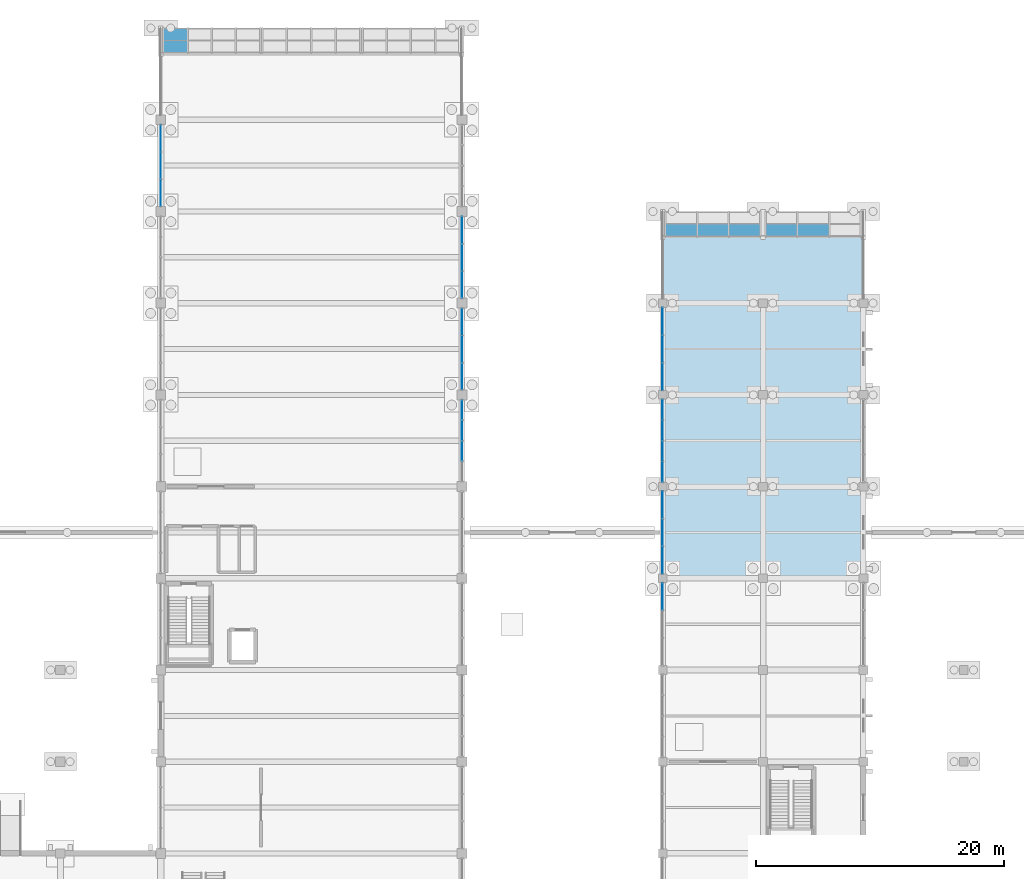
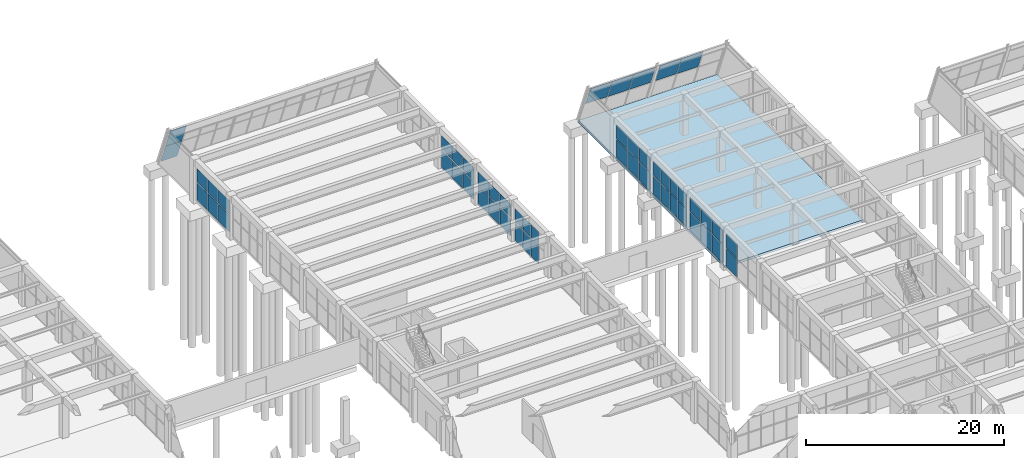
# One storey, part 117 of 140: 53 plates, 1 slab, 11 elements without a shape of their own.
"""IFC4 building model written with IfcOpenShell, lengths in metres."""

from ifc_helpers import new_model, si_unit, direction, frame, origin, origin_2d, place, context, subcontext, project, spatial, polyline, rectangle, outline, extrude, material, layer, layer_set, type_object, element, aggregate, save


model = new_model("IFC4")

# Units and contexts
model_context = context("Model", 3, precision=1e-05, world=origin(), true_north=direction((0.0, 1.0)))
body_context = subcontext(model_context, "Body", "Model", "MODEL_VIEW")
ifc_project = project(units=[si_unit("LENGTHUNIT", "METRE"), si_unit("AREAUNIT", "SQUARE_METRE"), si_unit("VOLUMEUNIT", "CUBIC_METRE"), si_unit("PLANEANGLEUNIT", "RADIAN"), si_unit("MASSUNIT", "GRAM", prefix="KILO")], contexts=[model_context])

# Site, building, storey
site_placement = place(None, origin())
site = spatial("IfcSite", under=ifc_project, at=site_placement, CompositionType="ELEMENT")
building_placement = place(site_placement, origin())
building = spatial("IfcBuilding", under=site, at=building_placement, Name="Cimatlan Art Gallery", CompositionType="ELEMENT")
storey_placement = place(building_placement, origin())
storey = spatial("IfcBuildingStorey", under=building, at=storey_placement, Name="L00", CompositionType="ELEMENT", Elevation=0.0)

# Curtain wall, plates
ifc_material_1 = material(Name="Anodised bronze unitised curtain wall")
curtain_wall_type_1 = type_object("IfcCurtainWallType", Name="CW-V-06592X04178-B4", PredefinedType="NOTDEFINED", material=ifc_material_1)
curtain_wall_1_placement = place(storey_placement, origin())
curtain_wall_1 = element("IfcCurtainWall", 1, at=curtain_wall_1_placement, inside=storey, type_object=curtain_wall_type_1, Name="CW-L00-11-10-E", PredefinedType="NOTDEFINED")
ifc_material_2 = material(Name="Low-E insulated double glazing", Category="glass")
ifc_layer_1 = layer(ifc_material_2, 0.028076171875)
ifc_layer_set_1 = layer_set([ifc_layer_1], Name="Low-E insulated double glazing")
plate_type_1 = type_object("IfcPlateType", Name="PNL-1590X1654", PredefinedType="CURTAIN_PANEL", material=ifc_layer_set_1)
plate_1_placement = place(storey_placement, frame((99.199951171875, 81.8720703125, 2.40185546875), z_axis=(0.0, 0.0, 1.0), x_axis=(0.0, -1.0, 0.0)))
plate_1 = element("IfcPlate", 2, at=plate_1_placement, type_object=plate_type_1, Name="CW-L00-11-10-E-P12", PredefinedType="CURTAIN_PANEL", context=body_context, shape_type="SweptSolid", body=[
    extrude(rectangle(XDim=1.590087890625, YDim=0.028076171875, at=origin_2d()), origin(), (0.0, 0.0, 1.0), 1.654052734375),
])
plate_2_placement = place(storey_placement, frame((99.199951171875, 80.22412109375, 2.40185546875), z_axis=(0.0, 0.0, 1.0), x_axis=(0.0, -1.0, 0.0)))
plate_2 = element("IfcPlate", 3, at=plate_2_placement, type_object=plate_type_1, Name="CW-L00-11-10-E-P22", PredefinedType="CURTAIN_PANEL", context=body_context, shape_type="SweptSolid", body=[
    extrude(rectangle(XDim=1.590087890625, YDim=0.028076171875, at=origin_2d()), origin(), (0.0, 0.0, 1.0), 1.654052734375),
])
plate_3_placement = place(storey_placement, frame((99.199951171875, 78.575927734375, 2.40185546875), z_axis=(0.0, 0.0, 1.0), x_axis=(0.0, -1.0, 0.0)))
plate_3 = element("IfcPlate", 4, at=plate_3_placement, type_object=plate_type_1, Name="CW-L00-11-10-E-P32", PredefinedType="CURTAIN_PANEL", context=body_context, shape_type="SweptSolid", body=[
    extrude(rectangle(XDim=1.590087890625, YDim=0.028076171875, at=origin_2d()), origin(), (0.0, 0.0, 1.0), 1.654052734375),
])
ifc_layer_2 = layer(ifc_material_2, 0.028076171875)
ifc_layer_set_2 = layer_set([ifc_layer_2], Name="Low-E insulated double glazing")
plate_type_2 = type_object("IfcPlateType", Name="PNL-1590X2156", PredefinedType="CURTAIN_PANEL", material=ifc_layer_set_2)
plate_4_placement = place(storey_placement, frame((99.199951171875, 81.8720703125, 0.1220703125), z_axis=(0.0, 0.0, 1.0), x_axis=(0.0, -1.0, 0.0)))
plate_4 = element("IfcPlate", 5, at=plate_4_placement, type_object=plate_type_2, Name="CW-L00-11-10-E-P11", PredefinedType="CURTAIN_PANEL", context=body_context, shape_type="SweptSolid", body=[
    extrude(rectangle(XDim=1.590087890625, YDim=0.028076171875, at=origin_2d()), origin(), (0.0, 0.0, 1.0), 2.156005859375),
])
plate_5_placement = place(storey_placement, frame((99.199951171875, 80.22412109375, 0.1220703125), z_axis=(0.0, 0.0, 1.0), x_axis=(0.0, -1.0, 0.0)))
plate_5 = element("IfcPlate", 6, at=plate_5_placement, type_object=plate_type_2, Name="CW-L00-11-10-E-P21", PredefinedType="CURTAIN_PANEL", context=body_context, shape_type="SweptSolid", body=[
    extrude(rectangle(XDim=1.590087890625, YDim=0.028076171875, at=origin_2d()), origin(), (0.0, 0.0, 1.0), 2.156005859375),
])
plate_6_placement = place(storey_placement, frame((99.199951171875, 78.575927734375, 0.1220703125), z_axis=(0.0, 0.0, 1.0), x_axis=(0.0, -1.0, 0.0)))
plate_6 = element("IfcPlate", 7, at=plate_6_placement, type_object=plate_type_2, Name="CW-L00-11-10-E-P31", PredefinedType="CURTAIN_PANEL", context=body_context, shape_type="SweptSolid", body=[
    extrude(rectangle(XDim=1.590087890625, YDim=0.028076171875, at=origin_2d()), origin(), (0.0, 0.0, 1.0), 2.156005859375),
])
aggregate(curtain_wall_1, [plate_4, plate_1, plate_5, plate_2, plate_6, plate_3])

curtain_wall_type_2 = type_object("IfcCurtainWallType", Name="CW-V-06692X04260-B4", PredefinedType="NOTDEFINED", material=ifc_material_1)
curtain_wall_2_placement = place(storey_placement, origin())
curtain_wall_2 = element("IfcCurtainWall", 8, at=curtain_wall_2_placement, inside=storey, type_object=curtain_wall_type_2, Name="CW-L00-14-10-W", PredefinedType="NOTDEFINED")
ifc_layer_3 = layer(ifc_material_2, 0.028076171875)
ifc_layer_set_3 = layer_set([ifc_layer_3], Name="Low-E insulated double glazing")
plate_type_3 = type_object("IfcPlateType", Name="PNL-1615X1690", PredefinedType="CURTAIN_PANEL", material=ifc_layer_set_3)
plate_7_placement = place(storey_placement, frame((115.39990234375, 76.890380859375, 2.44775390625), z_axis=(0.0, 0.0, 1.0), x_axis=(0.0, 1.0, 0.0)))
plate_7 = element("IfcPlate", 9, at=plate_7_placement, type_object=plate_type_3, Name="CW-L00-14-10-W-P12", PredefinedType="CURTAIN_PANEL", context=body_context, shape_type="SweptSolid", body=[
    extrude(rectangle(XDim=1.614990234375, YDim=0.028076171875, at=origin_2d()), origin(), (0.0, 0.0, 1.0), 1.68994140625),
])
plate_8_placement = place(storey_placement, frame((115.39990234375, 78.5634765625, 2.44775390625), z_axis=(0.0, 0.0, 1.0), x_axis=(0.0, 1.0, 0.0)))
plate_8 = element("IfcPlate", 10, at=plate_8_placement, type_object=plate_type_3, Name="CW-L00-14-10-W-P22", PredefinedType="CURTAIN_PANEL", context=body_context, shape_type="SweptSolid", body=[
    extrude(rectangle(XDim=1.614990234375, YDim=0.028076171875, at=origin_2d()), origin(), (0.0, 0.0, 1.0), 1.68994140625),
])
plate_9_placement = place(storey_placement, frame((115.39990234375, 80.236572265625, 2.44775390625), z_axis=(0.0, 0.0, 1.0), x_axis=(0.0, 1.0, 0.0)))
plate_9 = element("IfcPlate", 11, at=plate_9_placement, type_object=plate_type_3, Name="CW-L00-14-10-W-P32", PredefinedType="CURTAIN_PANEL", context=body_context, shape_type="SweptSolid", body=[
    extrude(rectangle(XDim=1.614990234375, YDim=0.028076171875, at=origin_2d()), origin(), (0.0, 0.0, 1.0), 1.68994140625),
])
plate_10_placement = place(storey_placement, frame((115.39990234375, 81.909423828125, 2.44775390625), z_axis=(0.0, 0.0, 1.0), x_axis=(0.0, 1.0, 0.0)))
plate_10 = element("IfcPlate", 12, at=plate_10_placement, type_object=plate_type_3, Name="CW-L00-14-10-W-P42", PredefinedType="CURTAIN_PANEL", context=body_context, shape_type="SweptSolid", body=[
    extrude(rectangle(XDim=1.614990234375, YDim=0.028076171875, at=origin_2d()), origin(), (0.0, 0.0, 1.0), 1.68994140625),
])
ifc_layer_4 = layer(ifc_material_2, 0.028076171875)
ifc_layer_set_4 = layer_set([ifc_layer_4], Name="Low-E insulated double glazing")
plate_type_4 = type_object("IfcPlateType", Name="PNL-1615X2202", PredefinedType="CURTAIN_PANEL", material=ifc_layer_set_4)
plate_11_placement = place(storey_placement, frame((115.39990234375, 76.890380859375, 0.1220703125), z_axis=(0.0, 0.0, 1.0), x_axis=(0.0, 1.0, 0.0)))
plate_11 = element("IfcPlate", 13, at=plate_11_placement, type_object=plate_type_4, Name="CW-L00-14-10-W-P11", PredefinedType="CURTAIN_PANEL", context=body_context, shape_type="SweptSolid", body=[
    extrude(rectangle(XDim=1.614990234375, YDim=0.028076171875, at=origin_2d()), origin(), (0.0, 0.0, 1.0), 2.201904296875),
])
plate_12_placement = place(storey_placement, frame((115.39990234375, 78.5634765625, 0.1220703125), z_axis=(0.0, 0.0, 1.0), x_axis=(0.0, 1.0, 0.0)))
plate_12 = element("IfcPlate", 14, at=plate_12_placement, type_object=plate_type_4, Name="CW-L00-14-10-W-P21", PredefinedType="CURTAIN_PANEL", context=body_context, shape_type="SweptSolid", body=[
    extrude(rectangle(XDim=1.614990234375, YDim=0.028076171875, at=origin_2d()), origin(), (0.0, 0.0, 1.0), 2.201904296875),
])
plate_13_placement = place(storey_placement, frame((115.39990234375, 80.236572265625, 0.1220703125), z_axis=(0.0, 0.0, 1.0), x_axis=(0.0, 1.0, 0.0)))
plate_13 = element("IfcPlate", 15, at=plate_13_placement, type_object=plate_type_4, Name="CW-L00-14-10-W-P31", PredefinedType="CURTAIN_PANEL", context=body_context, shape_type="SweptSolid", body=[
    extrude(rectangle(XDim=1.614990234375, YDim=0.028076171875, at=origin_2d()), origin(), (0.0, 0.0, 1.0), 2.201904296875),
])
plate_14_placement = place(storey_placement, frame((115.39990234375, 81.909423828125, 0.1220703125), z_axis=(0.0, 0.0, 1.0), x_axis=(0.0, 1.0, 0.0)))
plate_14 = element("IfcPlate", 16, at=plate_14_placement, type_object=plate_type_4, Name="CW-L00-14-10-W-P41", PredefinedType="CURTAIN_PANEL", context=body_context, shape_type="SweptSolid", body=[
    extrude(rectangle(XDim=1.614990234375, YDim=0.028076171875, at=origin_2d()), origin(), (0.0, 0.0, 1.0), 2.201904296875),
])
aggregate(curtain_wall_2, [plate_11, plate_7, plate_12, plate_8, plate_13, plate_9, plate_14, plate_10])

curtain_wall_type_3 = type_object("IfcCurtainWallType", Name="CW-V-06592X04133-B3", PredefinedType="NOTDEFINED", material=ifc_material_1)
curtain_wall_3_placement = place(storey_placement, origin())
curtain_wall_3 = element("IfcCurtainWall", 17, at=curtain_wall_3_placement, inside=storey, type_object=curtain_wall_type_3, Name="CW-L00-09-13-W", PredefinedType="NOTDEFINED")
ifc_layer_5 = layer(ifc_material_2, 0.028076171875)
ifc_layer_set_5 = layer_set([ifc_layer_5], Name="Low-E insulated double glazing")
plate_type_5 = type_object("IfcPlateType", Name="PNL-2139X1635", PredefinedType="CURTAIN_PANEL", material=ifc_layer_set_5)
plate_15_placement = place(storey_placement, frame((74.89990234375, 99.402587890625, 2.37646484375), z_axis=(0.0, 0.0, 1.0), x_axis=(0.0, 1.0, 0.0)))
plate_15 = element("IfcPlate", 18, at=plate_15_placement, type_object=plate_type_5, Name="CW-L00-09-13-W-P12", PredefinedType="CURTAIN_PANEL", context=body_context, shape_type="SweptSolid", body=[
    extrude(rectangle(XDim=2.138916015625, YDim=0.028076171875, at=origin_2d()), origin(), (0.0, 0.0, 1.0), 1.635009765625),
])
plate_16_placement = place(storey_placement, frame((74.89990234375, 101.60009765625, 2.37646484375), z_axis=(0.0, 0.0, 1.0), x_axis=(0.0, 1.0, 0.0)))
plate_16 = element("IfcPlate", 19, at=plate_16_placement, type_object=plate_type_5, Name="CW-L00-09-13-W-P22", PredefinedType="CURTAIN_PANEL", context=body_context, shape_type="SweptSolid", body=[
    extrude(rectangle(XDim=2.138916015625, YDim=0.028076171875, at=origin_2d()), origin(), (0.0, 0.0, 1.0), 1.635009765625),
])
plate_17_placement = place(storey_placement, frame((74.89990234375, 103.79736328125, 2.37646484375), z_axis=(0.0, 0.0, 1.0), x_axis=(0.0, 1.0, 0.0)))
plate_17 = element("IfcPlate", 20, at=plate_17_placement, type_object=plate_type_5, Name="CW-L00-09-13-W-P32", PredefinedType="CURTAIN_PANEL", context=body_context, shape_type="SweptSolid", body=[
    extrude(rectangle(XDim=2.138916015625, YDim=0.028076171875, at=origin_2d()), origin(), (0.0, 0.0, 1.0), 1.635009765625),
])

curtain_wall_type_4 = type_object("IfcCurtainWallType", Name="CW-V-06592X04148-B3", PredefinedType="NOTDEFINED", material=ifc_material_1)
curtain_wall_4_placement = place(storey_placement, origin())
curtain_wall_4 = element("IfcCurtainWall", 21, at=curtain_wall_4_placement, inside=storey, type_object=curtain_wall_type_4, Name="CW-L00-11-12-E", PredefinedType="NOTDEFINED")
ifc_layer_6 = layer(ifc_material_2, 0.028076171875)
ifc_layer_set_6 = layer_set([ifc_layer_6], Name="Low-E insulated double glazing")
plate_type_6 = type_object("IfcPlateType", Name="PNL-2139X1641", PredefinedType="CURTAIN_PANEL", material=ifc_layer_set_6)
plate_18_placement = place(storey_placement, frame((99.199951171875, 96.397216796875, 2.385009765625), z_axis=(0.0, 0.0, 1.0), x_axis=(0.0, -1.0, 0.0)))
plate_18 = element("IfcPlate", 22, at=plate_18_placement, type_object=plate_type_6, Name="CW-L00-11-12-E-P12", PredefinedType="CURTAIN_PANEL", context=body_context, shape_type="SweptSolid", body=[
    extrude(rectangle(XDim=2.138916015625, YDim=0.028076171875, at=origin_2d()), origin(), (0.0, 0.0, 1.0), 1.64111328125),
])
plate_19_placement = place(storey_placement, frame((99.199951171875, 94.199951171875, 2.385009765625), z_axis=(0.0, 0.0, 1.0), x_axis=(0.0, -1.0, 0.0)))
plate_19 = element("IfcPlate", 23, at=plate_19_placement, type_object=plate_type_6, Name="CW-L00-11-12-E-P22", PredefinedType="CURTAIN_PANEL", context=body_context, shape_type="SweptSolid", body=[
    extrude(rectangle(XDim=2.138916015625, YDim=0.028076171875, at=origin_2d()), origin(), (0.0, 0.0, 1.0), 1.64111328125),
])
plate_20_placement = place(storey_placement, frame((99.199951171875, 92.002685546875, 2.385009765625), z_axis=(0.0, 0.0, 1.0), x_axis=(0.0, -1.0, 0.0)))
plate_20 = element("IfcPlate", 24, at=plate_20_placement, type_object=plate_type_6, Name="CW-L00-11-12-E-P32", PredefinedType="CURTAIN_PANEL", context=body_context, shape_type="SweptSolid", body=[
    extrude(rectangle(XDim=2.138916015625, YDim=0.028076171875, at=origin_2d()), origin(), (0.0, 0.0, 1.0), 1.64111328125),
])

curtain_wall_type_5 = type_object("IfcCurtainWallType", Name="CW-V-06592X04163-B3", PredefinedType="NOTDEFINED", material=ifc_material_1)
curtain_wall_5_placement = place(storey_placement, origin())
curtain_wall_5 = element("IfcCurtainWall", 25, at=curtain_wall_5_placement, inside=storey, type_object=curtain_wall_type_5, Name="CW-L00-11-11-E", PredefinedType="NOTDEFINED")
ifc_layer_7 = layer(ifc_material_2, 0.028076171875)
ifc_layer_set_7 = layer_set([ifc_layer_7], Name="Low-E insulated double glazing")
plate_type_7 = type_object("IfcPlateType", Name="PNL-2139X1648", PredefinedType="CURTAIN_PANEL", material=ifc_layer_set_7)
plate_21_placement = place(storey_placement, frame((99.199951171875, 88.997314453125, 2.39306640625), z_axis=(0.0, 0.0, 1.0), x_axis=(0.0, -1.0, 0.0)))
plate_21 = element("IfcPlate", 26, at=plate_21_placement, type_object=plate_type_7, Name="CW-L00-11-11-E-P12", PredefinedType="CURTAIN_PANEL", context=body_context, shape_type="SweptSolid", body=[
    extrude(rectangle(XDim=2.138916015625, YDim=0.028076171875, at=origin_2d()), origin(), (0.0, 0.0, 1.0), 1.64794921875),
])
plate_22_placement = place(storey_placement, frame((99.199951171875, 86.800048828125, 2.39306640625), z_axis=(0.0, 0.0, 1.0), x_axis=(0.0, -1.0, 0.0)))
plate_22 = element("IfcPlate", 27, at=plate_22_placement, type_object=plate_type_7, Name="CW-L00-11-11-E-P22", PredefinedType="CURTAIN_PANEL", context=body_context, shape_type="SweptSolid", body=[
    extrude(rectangle(XDim=2.138916015625, YDim=0.028076171875, at=origin_2d()), origin(), (0.0, 0.0, 1.0), 1.64794921875),
])
plate_23_placement = place(storey_placement, frame((99.199951171875, 84.602783203125, 2.39306640625), z_axis=(0.0, 0.0, 1.0), x_axis=(0.0, -1.0, 0.0)))
plate_23 = element("IfcPlate", 28, at=plate_23_placement, type_object=plate_type_7, Name="CW-L00-11-11-E-P32", PredefinedType="CURTAIN_PANEL", context=body_context, shape_type="SweptSolid", body=[
    extrude(rectangle(XDim=2.138916015625, YDim=0.028076171875, at=origin_2d()), origin(), (0.0, 0.0, 1.0), 1.64794921875),
])

# Plate
ifc_layer_8 = layer(ifc_material_2, 0.028076171875)
ifc_layer_set_8 = layer_set([ifc_layer_8], Name="Low-E insulated double glazing")
plate_type_8 = type_object("IfcPlateType", Name="PNL-2139X2131", PredefinedType="CURTAIN_PANEL", material=ifc_layer_set_8)
plate_24_placement = place(storey_placement, frame((74.89990234375, 99.402587890625, 0.12158203125), z_axis=(0.0, 0.0, 1.0), x_axis=(0.0, 1.0, 0.0)))
plate_24 = element("IfcPlate", 29, at=plate_24_placement, type_object=plate_type_8, Name="CW-L00-09-13-W-P11", PredefinedType="CURTAIN_PANEL", context=body_context, shape_type="SweptSolid", body=[
    extrude(rectangle(XDim=2.138916015625, YDim=0.028076171875, at=origin_2d()), origin(), (0.0, 0.0, 1.0), 2.131103515625),
])

plate_25_placement = place(storey_placement, frame((74.89990234375, 101.60009765625, 0.12158203125), z_axis=(0.0, 0.0, 1.0), x_axis=(0.0, 1.0, 0.0)))
plate_25 = element("IfcPlate", 30, at=plate_25_placement, type_object=plate_type_8, Name="CW-L00-09-13-W-P21", PredefinedType="CURTAIN_PANEL", context=body_context, shape_type="SweptSolid", body=[
    extrude(rectangle(XDim=2.138916015625, YDim=0.028076171875, at=origin_2d()), origin(), (0.0, 0.0, 1.0), 2.131103515625),
])

plate_26_placement = place(storey_placement, frame((74.89990234375, 103.79736328125, 0.12158203125), z_axis=(0.0, 0.0, 1.0), x_axis=(0.0, 1.0, 0.0)))
plate_26 = element("IfcPlate", 31, at=plate_26_placement, type_object=plate_type_8, Name="CW-L00-09-13-W-P31", PredefinedType="CURTAIN_PANEL", context=body_context, shape_type="SweptSolid", body=[
    extrude(rectangle(XDim=2.138916015625, YDim=0.028076171875, at=origin_2d()), origin(), (0.0, 0.0, 1.0), 2.131103515625),
])

aggregate(curtain_wall_3, [plate_24, plate_15, plate_25, plate_16, plate_26, plate_17])

ifc_layer_9 = layer(ifc_material_2, 0.028076171875)
ifc_layer_set_9 = layer_set([ifc_layer_9], Name="Low-E insulated double glazing")
plate_type_9 = type_object("IfcPlateType", Name="PNL-2139X2139", PredefinedType="CURTAIN_PANEL", material=ifc_layer_set_9)
plate_27_placement = place(storey_placement, frame((99.199951171875, 96.397216796875, 0.1220703125), z_axis=(0.0, 0.0, 1.0), x_axis=(0.0, -1.0, 0.0)))
plate_27 = element("IfcPlate", 32, at=plate_27_placement, type_object=plate_type_9, Name="CW-L00-11-12-E-P11", PredefinedType="CURTAIN_PANEL", context=body_context, shape_type="SweptSolid", body=[
    extrude(rectangle(XDim=2.138916015625, YDim=0.028076171875, at=origin_2d()), origin(), (0.0, 0.0, 1.0), 2.138916015625),
])

plate_28_placement = place(storey_placement, frame((99.199951171875, 94.199951171875, 0.1220703125), z_axis=(0.0, 0.0, 1.0), x_axis=(0.0, -1.0, 0.0)))
plate_28 = element("IfcPlate", 33, at=plate_28_placement, type_object=plate_type_9, Name="CW-L00-11-12-E-P21", PredefinedType="CURTAIN_PANEL", context=body_context, shape_type="SweptSolid", body=[
    extrude(rectangle(XDim=2.138916015625, YDim=0.028076171875, at=origin_2d()), origin(), (0.0, 0.0, 1.0), 2.138916015625),
])

plate_29_placement = place(storey_placement, frame((99.199951171875, 92.002685546875, 0.1220703125), z_axis=(0.0, 0.0, 1.0), x_axis=(0.0, -1.0, 0.0)))
plate_29 = element("IfcPlate", 34, at=plate_29_placement, type_object=plate_type_9, Name="CW-L00-11-12-E-P31", PredefinedType="CURTAIN_PANEL", context=body_context, shape_type="SweptSolid", body=[
    extrude(rectangle(XDim=2.138916015625, YDim=0.028076171875, at=origin_2d()), origin(), (0.0, 0.0, 1.0), 2.138916015625),
])

aggregate(curtain_wall_4, [plate_27, plate_18, plate_28, plate_19, plate_29, plate_20])

ifc_layer_10 = layer(ifc_material_2, 0.028076171875)
ifc_layer_set_10 = layer_set([ifc_layer_10], Name="Low-E insulated double glazing")
plate_type_10 = type_object("IfcPlateType", Name="PNL-2139X2147", PredefinedType="CURTAIN_PANEL", material=ifc_layer_set_10)
plate_30_placement = place(storey_placement, frame((99.199951171875, 88.997314453125, 0.1220703125), z_axis=(0.0, 0.0, 1.0), x_axis=(0.0, -1.0, 0.0)))
plate_30 = element("IfcPlate", 35, at=plate_30_placement, type_object=plate_type_10, Name="CW-L00-11-11-E-P11", PredefinedType="CURTAIN_PANEL", context=body_context, shape_type="SweptSolid", body=[
    extrude(rectangle(XDim=2.138916015625, YDim=0.028076171875, at=origin_2d()), origin(), (0.0, 0.0, 1.0), 2.14697265625),
])

plate_31_placement = place(storey_placement, frame((99.199951171875, 86.800048828125, 0.1220703125), z_axis=(0.0, 0.0, 1.0), x_axis=(0.0, -1.0, 0.0)))
plate_31 = element("IfcPlate", 36, at=plate_31_placement, type_object=plate_type_10, Name="CW-L00-11-11-E-P21", PredefinedType="CURTAIN_PANEL", context=body_context, shape_type="SweptSolid", body=[
    extrude(rectangle(XDim=2.138916015625, YDim=0.028076171875, at=origin_2d()), origin(), (0.0, 0.0, 1.0), 2.14697265625),
])

plate_32_placement = place(storey_placement, frame((99.199951171875, 84.602783203125, 0.1220703125), z_axis=(0.0, 0.0, 1.0), x_axis=(0.0, -1.0, 0.0)))
plate_32 = element("IfcPlate", 37, at=plate_32_placement, type_object=plate_type_10, Name="CW-L00-11-11-E-P31", PredefinedType="CURTAIN_PANEL", context=body_context, shape_type="SweptSolid", body=[
    extrude(rectangle(XDim=2.138916015625, YDim=0.028076171875, at=origin_2d()), origin(), (0.0, 0.0, 1.0), 2.14697265625),
])

aggregate(curtain_wall_5, [plate_30, plate_21, plate_31, plate_22, plate_32, plate_23])

# Curtain wall, plates
curtain_wall_type_6 = type_object("IfcCurtainWallType", Name="CW-V-06692X04245-B3", PredefinedType="NOTDEFINED", material=ifc_material_1)
curtain_wall_6_placement = place(storey_placement, origin())
curtain_wall_6 = element("IfcCurtainWall", 38, at=curtain_wall_6_placement, inside=storey, type_object=curtain_wall_type_6, Name="CW-L00-14-11-W", PredefinedType="NOTDEFINED")
ifc_layer_11 = layer(ifc_material_2, 0.028076171875)
ifc_layer_set_11 = layer_set([ifc_layer_11], Name="Low-E insulated double glazing")
plate_type_11 = type_object("IfcPlateType", Name="PNL-2173X1684", PredefinedType="CURTAIN_PANEL", material=ifc_layer_set_11)
plate_33_placement = place(storey_placement, frame((115.39990234375, 84.5693359375, 2.43896484375), z_axis=(0.0, 0.0, 1.0), x_axis=(0.0, 1.0, 0.0)))
plate_33 = element("IfcPlate", 39, at=plate_33_placement, type_object=plate_type_11, Name="CW-L00-14-11-W-P12", PredefinedType="CURTAIN_PANEL", context=body_context, shape_type="SweptSolid", body=[
    extrude(rectangle(XDim=2.173095703125, YDim=0.028076171875, at=origin_2d()), origin(), (0.0, 0.0, 1.0), 1.68408203125),
])
plate_34_placement = place(storey_placement, frame((115.39990234375, 86.800048828125, 2.43896484375), z_axis=(0.0, 0.0, 1.0), x_axis=(0.0, 1.0, 0.0)))
plate_34 = element("IfcPlate", 40, at=plate_34_placement, type_object=plate_type_11, Name="CW-L00-14-11-W-P22", PredefinedType="CURTAIN_PANEL", context=body_context, shape_type="SweptSolid", body=[
    extrude(rectangle(XDim=2.173095703125, YDim=0.028076171875, at=origin_2d()), origin(), (0.0, 0.0, 1.0), 1.68408203125),
])
plate_35_placement = place(storey_placement, frame((115.39990234375, 89.03076171875, 2.43896484375), z_axis=(0.0, 0.0, 1.0), x_axis=(0.0, 1.0, 0.0)))
plate_35 = element("IfcPlate", 41, at=plate_35_placement, type_object=plate_type_11, Name="CW-L00-14-11-W-P32", PredefinedType="CURTAIN_PANEL", context=body_context, shape_type="SweptSolid", body=[
    extrude(rectangle(XDim=2.173095703125, YDim=0.028076171875, at=origin_2d()), origin(), (0.0, 0.0, 1.0), 1.68408203125),
])

curtain_wall_type_7 = type_object("IfcCurtainWallType", Name="CW-V-06692X04275-B3", PredefinedType="NOTDEFINED", material=ifc_material_1)
curtain_wall_7_placement = place(storey_placement, origin())
curtain_wall_7 = element("IfcCurtainWall", 42, at=curtain_wall_7_placement, inside=storey, type_object=curtain_wall_type_7, Name="CW-L00-14-09-W", PredefinedType="NOTDEFINED")
ifc_layer_12 = layer(ifc_material_2, 0.028076171875)
ifc_layer_set_12 = layer_set([ifc_layer_12], Name="Low-E insulated double glazing")
plate_type_12 = type_object("IfcPlateType", Name="PNL-2173X1697", PredefinedType="CURTAIN_PANEL", material=ifc_layer_set_12)
plate_36_placement = place(storey_placement, frame((115.39990234375, 69.769287109375, 2.4560546875), z_axis=(0.0, 0.0, 1.0), x_axis=(0.0, 1.0, 0.0)))
plate_36 = element("IfcPlate", 43, at=plate_36_placement, type_object=plate_type_12, Name="CW-L00-14-09-W-P12", PredefinedType="CURTAIN_PANEL", context=body_context, shape_type="SweptSolid", body=[
    extrude(rectangle(XDim=2.173095703125, YDim=0.028076171875, at=origin_2d()), origin(), (0.0, 0.0, 1.0), 1.697021484375),
])
plate_37_placement = place(storey_placement, frame((115.39990234375, 72.0, 2.4560546875), z_axis=(0.0, 0.0, 1.0), x_axis=(0.0, 1.0, 0.0)))
plate_37 = element("IfcPlate", 44, at=plate_37_placement, type_object=plate_type_12, Name="CW-L00-14-09-W-P22", PredefinedType="CURTAIN_PANEL", context=body_context, shape_type="SweptSolid", body=[
    extrude(rectangle(XDim=2.173095703125, YDim=0.028076171875, at=origin_2d()), origin(), (0.0, 0.0, 1.0), 1.697021484375),
])
plate_38_placement = place(storey_placement, frame((115.39990234375, 74.230712890625, 2.4560546875), z_axis=(0.0, 0.0, 1.0), x_axis=(0.0, 1.0, 0.0)))
plate_38 = element("IfcPlate", 45, at=plate_38_placement, type_object=plate_type_12, Name="CW-L00-14-09-W-P32", PredefinedType="CURTAIN_PANEL", context=body_context, shape_type="SweptSolid", body=[
    extrude(rectangle(XDim=2.173095703125, YDim=0.028076171875, at=origin_2d()), origin(), (0.0, 0.0, 1.0), 1.697021484375),
])

# Curtain wall, plate
curtain_wall_type_8 = type_object("IfcCurtainWallType", Name="CW-V-06692X04290-B3", PredefinedType="NOTDEFINED", material=ifc_material_1)
curtain_wall_8_placement = place(storey_placement, origin())
curtain_wall_8 = element("IfcCurtainWall", 46, at=curtain_wall_8_placement, inside=storey, type_object=curtain_wall_type_8, Name="CW-L00-14-08-W", PredefinedType="NOTDEFINED")
ifc_layer_13 = layer(ifc_material_2, 0.028076171875)
ifc_layer_set_13 = layer_set([ifc_layer_13], Name="Low-E insulated double glazing")
plate_type_13 = type_object("IfcPlateType", Name="PNL-2173X1704", PredefinedType="CURTAIN_PANEL", material=ifc_layer_set_13)
plate_39_placement = place(storey_placement, frame((115.39990234375, 66.83056640625, 2.464111328125), z_axis=(0.0, 0.0, 1.0), x_axis=(0.0, 1.0, 0.0)))
plate_39 = element("IfcPlate", 47, at=plate_39_placement, type_object=plate_type_13, Name="CW-L00-14-08-W-P32", PredefinedType="CURTAIN_PANEL", context=body_context, shape_type="SweptSolid", body=[
    extrude(rectangle(XDim=2.173095703125, YDim=0.028076171875, at=origin_2d()), origin(), (0.0, 0.0, 1.0), 1.7041015625),
])

# Plate
ifc_layer_14 = layer(ifc_material_2, 0.028076171875)
ifc_layer_set_14 = layer_set([ifc_layer_14], Name="Low-E insulated double glazing")
plate_type_14 = type_object("IfcPlateType", Name="PNL-2173X2193", PredefinedType="CURTAIN_PANEL", material=ifc_layer_set_14)
plate_40_placement = place(storey_placement, frame((115.39990234375, 84.5693359375, 0.1220703125), z_axis=(0.0, 0.0, 1.0), x_axis=(0.0, 1.0, 0.0)))
plate_40 = element("IfcPlate", 48, at=plate_40_placement, type_object=plate_type_14, Name="CW-L00-14-11-W-P11", PredefinedType="CURTAIN_PANEL", context=body_context, shape_type="SweptSolid", body=[
    extrude(rectangle(XDim=2.173095703125, YDim=0.028076171875, at=origin_2d()), origin(), (0.0, 0.0, 1.0), 2.193115234375),
])

plate_41_placement = place(storey_placement, frame((115.39990234375, 86.800048828125, 0.1220703125), z_axis=(0.0, 0.0, 1.0), x_axis=(0.0, 1.0, 0.0)))
plate_41 = element("IfcPlate", 49, at=plate_41_placement, type_object=plate_type_14, Name="CW-L00-14-11-W-P21", PredefinedType="CURTAIN_PANEL", context=body_context, shape_type="SweptSolid", body=[
    extrude(rectangle(XDim=2.173095703125, YDim=0.028076171875, at=origin_2d()), origin(), (0.0, 0.0, 1.0), 2.193115234375),
])

plate_42_placement = place(storey_placement, frame((115.39990234375, 89.03076171875, 0.1220703125), z_axis=(0.0, 0.0, 1.0), x_axis=(0.0, 1.0, 0.0)))
plate_42 = element("IfcPlate", 50, at=plate_42_placement, type_object=plate_type_14, Name="CW-L00-14-11-W-P31", PredefinedType="CURTAIN_PANEL", context=body_context, shape_type="SweptSolid", body=[
    extrude(rectangle(XDim=2.173095703125, YDim=0.028076171875, at=origin_2d()), origin(), (0.0, 0.0, 1.0), 2.193115234375),
])

aggregate(curtain_wall_6, [plate_40, plate_33, plate_41, plate_34, plate_42, plate_35])

ifc_layer_15 = layer(ifc_material_2, 0.028076171875)
ifc_layer_set_15 = layer_set([ifc_layer_15], Name="Low-E insulated double glazing")
plate_type_15 = type_object("IfcPlateType", Name="PNL-2173X2210", PredefinedType="CURTAIN_PANEL", material=ifc_layer_set_15)
plate_43_placement = place(storey_placement, frame((115.39990234375, 69.769287109375, 0.1220703125), z_axis=(0.0, 0.0, 1.0), x_axis=(0.0, 1.0, 0.0)))
plate_43 = element("IfcPlate", 51, at=plate_43_placement, type_object=plate_type_15, Name="CW-L00-14-09-W-P11", PredefinedType="CURTAIN_PANEL", context=body_context, shape_type="SweptSolid", body=[
    extrude(rectangle(XDim=2.173095703125, YDim=0.028076171875, at=origin_2d()), origin(), (0.0, 0.0, 1.0), 2.2099609375),
])

plate_44_placement = place(storey_placement, frame((115.39990234375, 72.0, 0.1220703125), z_axis=(0.0, 0.0, 1.0), x_axis=(0.0, 1.0, 0.0)))
plate_44 = element("IfcPlate", 52, at=plate_44_placement, type_object=plate_type_15, Name="CW-L00-14-09-W-P21", PredefinedType="CURTAIN_PANEL", context=body_context, shape_type="SweptSolid", body=[
    extrude(rectangle(XDim=2.173095703125, YDim=0.028076171875, at=origin_2d()), origin(), (0.0, 0.0, 1.0), 2.2099609375),
])

plate_45_placement = place(storey_placement, frame((115.39990234375, 74.230712890625, 0.1220703125), z_axis=(0.0, 0.0, 1.0), x_axis=(0.0, 1.0, 0.0)))
plate_45 = element("IfcPlate", 53, at=plate_45_placement, type_object=plate_type_15, Name="CW-L00-14-09-W-P31", PredefinedType="CURTAIN_PANEL", context=body_context, shape_type="SweptSolid", body=[
    extrude(rectangle(XDim=2.173095703125, YDim=0.028076171875, at=origin_2d()), origin(), (0.0, 0.0, 1.0), 2.2099609375),
])

aggregate(curtain_wall_7, [plate_43, plate_36, plate_44, plate_37, plate_45, plate_38])

ifc_layer_16 = layer(ifc_material_2, 0.028076171875)
ifc_layer_set_16 = layer_set([ifc_layer_16], Name="Low-E insulated double glazing")
plate_type_16 = type_object("IfcPlateType", Name="PNL-2173X2218", PredefinedType="CURTAIN_PANEL", material=ifc_layer_set_16)
plate_46_placement = place(storey_placement, frame((115.39990234375, 66.83056640625, 0.1220703125), z_axis=(0.0, 0.0, 1.0), x_axis=(0.0, 1.0, 0.0)))
plate_46 = element("IfcPlate", 54, at=plate_46_placement, type_object=plate_type_16, Name="CW-L00-14-08-W-P31", PredefinedType="CURTAIN_PANEL", context=body_context, shape_type="SweptSolid", body=[
    extrude(rectangle(XDim=2.173095703125, YDim=0.028076171875, at=origin_2d()), origin(), (0.0, 0.0, 1.0), 2.218017578125),
])

aggregate(curtain_wall_8, [plate_46, plate_39])

# Curtain wall, plates
ifc_material_3 = material(Name="Raked steel-and-bronze lancet curtain wall", Category="steel")
curtain_wall_type_9 = type_object("IfcCurtainWallType", Name="CW-RAK-07790X05503-B4", PredefinedType="NOTDEFINED", material=ifc_material_3)
curtain_wall_9_placement = place(storey_placement, origin())
curtain_wall_9 = element("IfcCurtainWall", 55, at=curtain_wall_9_placement, inside=storey, type_object=curtain_wall_type_9, Name="CW-PROW-L00-B3-9", PredefinedType="NOTDEFINED")
ifc_material_4 = material(Name="Low-E laminated skylight safety glazing", Category="glass")
ifc_layer_17 = layer(ifc_material_4, 0.031982421875)
ifc_layer_set_17 = layer_set([ifc_layer_17], Name="Low-E laminated skylight safety glazing")
plate_type_17 = type_object("IfcPlateType", Name="PNL-RAK-1907X2641", PredefinedType="CURTAIN_PANEL", material=ifc_layer_set_17)
plate_47_placement = place(storey_placement, frame((75.140380859375, 112.669677734375, 0.076904296875), z_axis=(0.0, 0.930420809623, 0.366492997234), x_axis=(1.0, 0.0, 0.0)))
plate_47 = element("IfcPlate", 56, at=plate_47_placement, type_object=plate_type_17, Name="CW-PROW-L00-B3-9-P11", PredefinedType="CURTAIN_PANEL", context=body_context, shape_type="SweptSolid", body=[
    extrude(outline(polyline([(0.0, 0.0), (1.906982421875, 0.0), (1.906982421875, -2.641298975510764), (0.0, -2.641298975510764), (0.0, 0.0)])), origin(), (0.0, 0.0, -1.0), 0.031982421875),
])
plate_48_placement = place(storey_placement, frame((75.140380859375, 111.681396484375, 2.585693359375), z_axis=(0.0, 0.930420809623, 0.366492997234), x_axis=(1.0, 0.0, 0.0)))
plate_48 = element("IfcPlate", 57, at=plate_48_placement, type_object=plate_type_17, Name="CW-PROW-L00-B3-9-P12", PredefinedType="CURTAIN_PANEL", context=body_context, shape_type="SweptSolid", body=[
    extrude(outline(polyline([(0.0, 0.0), (1.906982421875, 0.0), (1.906982421875, -2.641298975510764), (0.0, -2.641298975510764), (0.0, 0.0)])), origin(), (0.0, 0.0, -1.0), 0.031982421875),
])
aggregate(curtain_wall_9, [plate_47, plate_48])

curtain_wall_type_10 = type_object("IfcCurtainWallType", Name="CW-RAK-07660X05503-B3", PredefinedType="NOTDEFINED", material=ifc_material_3)
curtain_wall_10_placement = place(storey_placement, origin())
curtain_wall_10 = element("IfcCurtainWall", 58, at=curtain_wall_10_placement, inside=storey, type_object=curtain_wall_type_10, Name="CW-PROW-L00-B4-14", PredefinedType="NOTDEFINED")
ifc_layer_18 = layer(ifc_material_4, 0.031982421875)
ifc_layer_set_18 = layer_set([ifc_layer_18], Name="Low-E laminated skylight safety glazing")
plate_type_18 = type_object("IfcPlateType", Name="PNL-RAK-2513X2641", PredefinedType="CURTAIN_PANEL", material=ifc_layer_set_18)
plate_49_placement = place(storey_placement, frame((115.64013671875, 96.881591796875, 2.585693359375), z_axis=(0.0, 0.930389288601, 0.366573009993), x_axis=(1.0, 0.0, 0.0)))
plate_49 = element("IfcPlate", 59, at=plate_49_placement, type_object=plate_type_18, Name="CW-PROW-L00-B4-14-P12", PredefinedType="CURTAIN_PANEL", context=body_context, shape_type="SweptSolid", body=[
    extrude(outline(polyline([(0.0, 0.0), (2.51318359375, 0.0), (2.51318359375, -2.641388461107515), (0.0, -2.641388461107515), (0.0, 0.0)])), origin(), (0.0, 0.0, -1.0), 0.031982421875),
])
plate_50_placement = place(storey_placement, frame((118.193603515625, 96.881591796875, 2.585693359375), z_axis=(0.0, 0.930389288601, 0.366573009993), x_axis=(1.0, 0.0, 0.0)))
plate_50 = element("IfcPlate", 60, at=plate_50_placement, type_object=plate_type_18, Name="CW-PROW-L00-B4-14-P22", PredefinedType="CURTAIN_PANEL", context=body_context, shape_type="SweptSolid", body=[
    extrude(outline(polyline([(0.0, 0.0), (2.512939453125, 0.0), (2.512939453125, -2.6413884611075145), (0.0, -2.6413884611075145), (0.0, 0.0)])), origin(), (0.0, 0.0, -1.0), 0.031982421875),
])
plate_51_placement = place(storey_placement, frame((120.746826171875, 96.881591796875, 2.585693359375), z_axis=(0.0, 0.930389288601, 0.366573009993), x_axis=(1.0, 0.0, 0.0)))
plate_51 = element("IfcPlate", 61, at=plate_51_placement, type_object=plate_type_18, Name="CW-PROW-L00-B4-14-P32", PredefinedType="CURTAIN_PANEL", context=body_context, shape_type="SweptSolid", body=[
    extrude(outline(polyline([(0.0, 0.0), (2.512939453125, 0.0), (2.512939453125, -2.6413884611075145), (0.0, -2.6413884611075145), (0.0, 0.0)])), origin(), (0.0, 0.0, -1.0), 0.031982421875),
])
aggregate(curtain_wall_10, [plate_49, plate_50, plate_51])

curtain_wall_11_placement = place(storey_placement, origin())
curtain_wall_11 = element("IfcCurtainWall", 62, at=curtain_wall_11_placement, inside=storey, type_object=curtain_wall_type_10, Name="CW-PROW-L00-B4-15", PredefinedType="NOTDEFINED")
plate_52_placement = place(storey_placement, frame((123.740234375, 96.881591796875, 2.585693359375), z_axis=(0.0, 0.930389288601, 0.366573009993), x_axis=(1.0, 0.0, 0.0)))
plate_52 = element("IfcPlate", 63, at=plate_52_placement, type_object=plate_type_18, Name="CW-PROW-L00-B4-15-P12", PredefinedType="CURTAIN_PANEL", context=body_context, shape_type="SweptSolid", body=[
    extrude(outline(polyline([(0.0, 0.0), (2.512939453125, 0.0), (2.512939453125, -2.6413884611075145), (0.0, -2.6413884611075145), (0.0, 0.0)])), origin(), (0.0, 0.0, -1.0), 0.031982421875),
])
plate_53_placement = place(storey_placement, frame((126.29345703125, 96.881591796875, 2.585693359375), z_axis=(0.0, 0.930389288601, 0.366573009993), x_axis=(1.0, 0.0, 0.0)))
plate_53 = element("IfcPlate", 64, at=plate_53_placement, type_object=plate_type_18, Name="CW-PROW-L00-B4-15-P22", PredefinedType="CURTAIN_PANEL", context=body_context, shape_type="SweptSolid", body=[
    extrude(outline(polyline([(0.0, 0.0), (2.512939453125, 0.0), (2.512939453125, -2.6413884611075145), (0.0, -2.6413884611075145), (0.0, 0.0)])), origin(), (0.0, 0.0, -1.0), 0.031982421875),
])
aggregate(curtain_wall_11, [plate_52, plate_53])

# Slab
ifc_material_5 = material(Name="Concrete C35/45", Category="concrete")
ifc_layer_19 = layer(ifc_material_5, 0.280029296875)
ifc_layer_set_19 = layer_set([ifc_layer_19], Name="Concrete C35/45")
slab_type = type_object("IfcSlabType", Name="SLB-FLR-L00", PredefinedType="FLOOR", material=ifc_layer_set_19)
slab_placement = place(storey_placement, frame((0.0, 0.0, -0.280029296875)))
element("IfcSlab", 65, at=slab_placement, inside=storey, type_object=slab_type, Name="SLB-L00-B4N", PredefinedType="FLOOR", context=body_context, shape_type="SweptSolid", body=[
    extrude(outline(polyline([(115.39990234375, 68.300048828125), (131.60009765625, 68.300048828125), (131.60009765625, 97.89990234375), (115.39990234375, 97.89990234375), (115.39990234375, 68.300048828125)])), origin(), (0.0, 0.0, 1.0), 0.280029296875),
])

save(model, "model.ifc")
